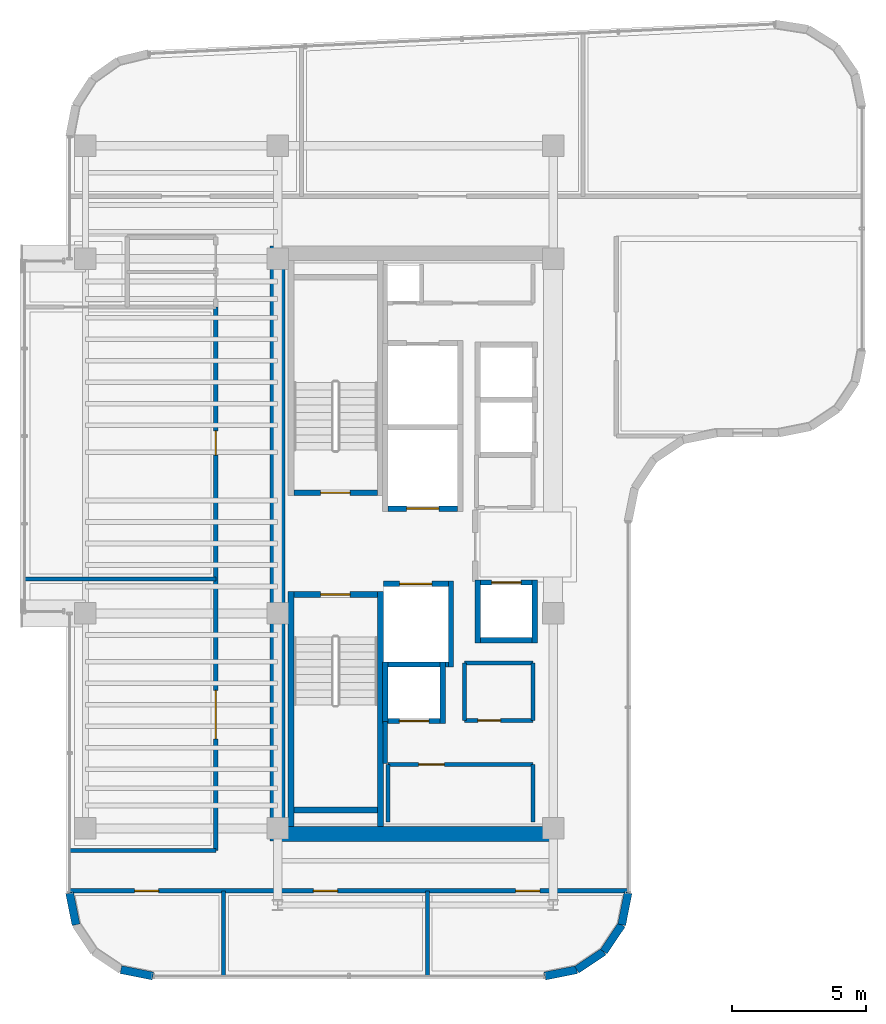
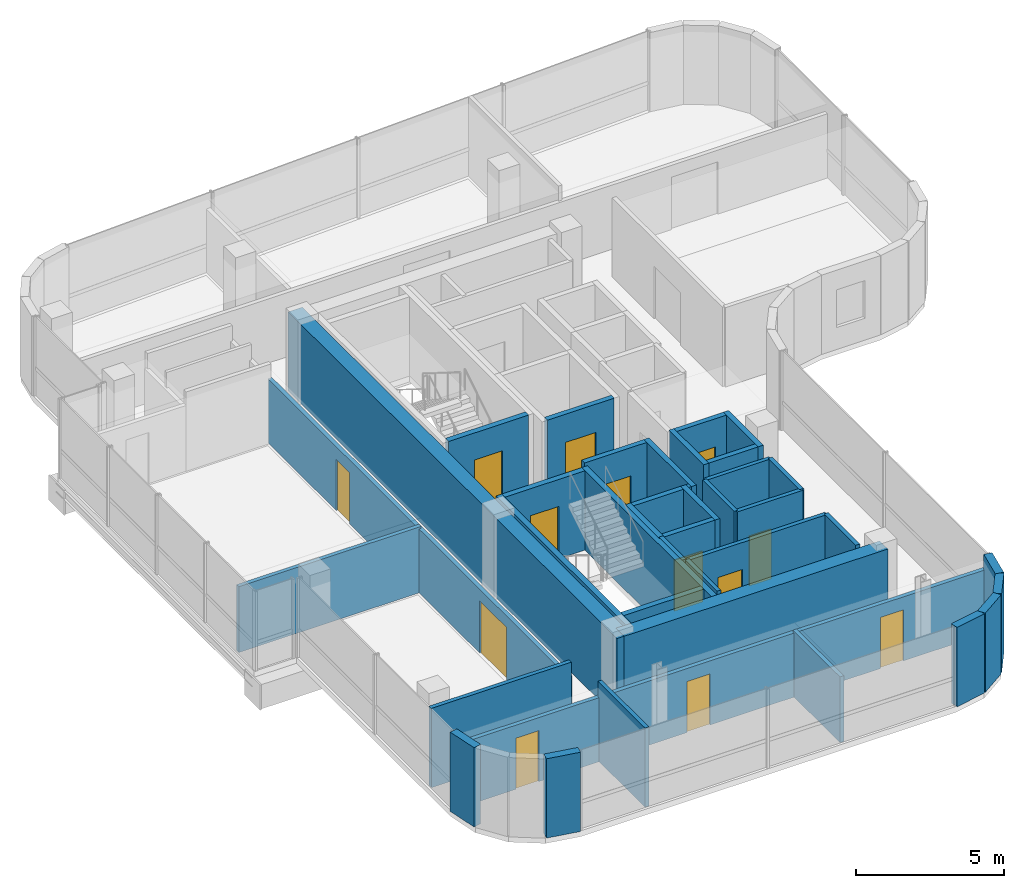
# One storey, part 14 of 18: 38 walls, 13 doors, 13 openings.
"""IFC4 building model written with IfcOpenShell, lengths in metres."""

from ifc_helpers import new_model, si_unit, direction, frame, frame_2d, origin, place, context, subcontext, project, spatial, rectangle, extrude, material, layer, layer_set, type_object, element, fill, save


model = new_model("IFC4")

# Units and contexts
model_context = context("Model", 3, precision=1e-05, world=origin(), true_north=direction((0.0, 1.0)))
body_context = subcontext(model_context, "Body", "Model", "MODEL_VIEW")
ifc_project = project(units=[si_unit("LENGTHUNIT", "METRE"), si_unit("AREAUNIT", "SQUARE_METRE"), si_unit("VOLUMEUNIT", "CUBIC_METRE"), si_unit("PLANEANGLEUNIT", "RADIAN"), si_unit("MASSUNIT", "GRAM", prefix="KILO")], contexts=[model_context])

# Site, building, storey
site_placement = place(None, origin())
site = spatial("IfcSite", under=ifc_project, at=site_placement, CompositionType="ELEMENT")
building_placement = place(site_placement, origin())
building = spatial("IfcBuilding", under=site, at=building_placement, Name="Valdorenza Pilgrim Sanctuary Tower", CompositionType="ELEMENT")
storey_placement = place(building_placement, frame((0.0, 0.0, 276.5)))
storey = spatial("IfcBuildingStorey", under=building, at=storey_placement, Name="L72", CompositionType="ELEMENT", Elevation=276.5)

# Wall
ifc_material_1 = material(Name="Acoustic twin-stud gypsum partition", Category="gypsum")
ifc_layer_1 = layer(ifc_material_1, 0.159912109375, Name="Acoustic twin-stud gypsum partition")
ifc_layer_set_1 = layer_set([ifc_layer_1], Name="Acoustic twin-stud gypsum partition")
wall_type_1 = type_object("IfcWallType", Name="WAL-COR-160", PredefinedType="PARTITIONING", material=ifc_layer_set_1)
wall_1_placement = place(storey_placement, frame((-18.64990234375, -8.179931640625, 0.0), z_axis=(0.0, 0.0, 1.0), x_axis=(0.0, 1.0, 0.0)))
element("IfcWall", 1, at=wall_1_placement, inside=storey, type_object=wall_type_1, Name="L72 Core A South Lift Hall West Wall", PredefinedType="PARTITIONING", context=body_context, shape_type="SweptSolid", body=[
    extrude(rectangle(XDim=1.559814453125, YDim=0.159912109375, at=frame_2d((0.77978515625, 0.0))), origin(), (0.0, 0.0, 1.0), 3.260009765625),
])

# Wall, opening, door
wall_2_placement = place(storey_placement, frame((-18.550048828125, -8.219970703125, 0.0), z_axis=(0.0, 0.0, 1.0), x_axis=(1.0, 0.0, 0.0)))
wall_2 = element("IfcWall", 2, at=wall_2_placement, inside=storey, type_object=wall_type_1, Name="L72 Freed Shaft 1 North Wall", PredefinedType="PARTITIONING", context=body_context, shape_type="SweptSolid", body=[
    extrude(rectangle(XDim=5.400146484375, YDim=0.159912109375, at=frame_2d((2.7001953125, 0.0))), origin(), (0.0, 0.0, 1.0), 3.260009765625),
])
opening_1_placement = place(wall_2_placement, frame((1.14990234375, 0.0, 0.0)))
opening_1 = element("IfcOpeningElement", 3, at=opening_1_placement, cuts=wall_2, Name="Opening DR-UN1", PredefinedType="OPENING", context=body_context, shape_type="SweptSolid", body=[
    extrude(rectangle(XDim=0.949951171875, YDim=2.14990234375, at=frame_2d((0.47509765625, 1.074951171875))), frame((0.0, 0.0947265625, 0.0), z_axis=(0.0, -1.0, 0.0), x_axis=(1.0, 0.0, 0.0)), (0.0, 0.0, 1.0), 0.189697265625),
])
ifc_material_2 = material(Name="Solid-core European oak timber", Category="wood")
door_type_1 = type_object("IfcDoorType", Name="DR-UNIT-950", OperationType="NOTDEFINED", PredefinedType="DOOR", material=ifc_material_2)
door_1_placement = place(opening_1_placement, origin())
door_1 = element("IfcDoor", 4, at=door_1_placement, inside=storey, type_object=door_type_1, Name="L72 Back-of-House Linen Store Door", OperationType="SINGLE_SWING_LEFT", OverallHeight=2.14990234375, OverallWidth=0.949951171875, PredefinedType="DOOR", context=body_context, shape_type="SweptSolid", body=[
    extrude(rectangle(XDim=0.949951171875, YDim=2.14990234375, at=frame_2d((0.47509765625, 1.074951171875))), frame((0.0, 0.02490234375, 0.0), z_axis=(0.0, -1.0, 0.0), x_axis=(1.0, 0.0, 0.0)), (0.0, 0.0, 1.0), 0.050048828125),
])
fill(opening_1, door_1)

# Wall
wall_3_placement = place(storey_placement, frame((-13.14990234375, -10.35009765625, 0.0), z_axis=(0.0, 0.0, 1.0), x_axis=(0.0, 1.0, 0.0)))
element("IfcWall", 5, at=wall_3_placement, inside=storey, type_object=wall_type_1, Name="L72 Freed Shaft 1 East Wall", PredefinedType="PARTITIONING", context=body_context, shape_type="SweptSolid", body=[
    extrude(rectangle(XDim=2.130126953125, YDim=0.159912109375, at=frame_2d((1.06494140625, 0.0))), origin(), (0.0, 0.0, 1.0), 3.260009765625),
])

# Wall, opening, door
wall_4_placement = place(storey_placement, frame((-15.699951171875, -6.580078125, 0.0), z_axis=(0.0, 0.0, 1.0), x_axis=(1.0, 0.0, 0.0)))
wall_4 = element("IfcWall", 6, at=wall_4_placement, inside=storey, type_object=wall_type_1, Name="L72 Freed Shaft 2 South Wall", PredefinedType="PARTITIONING", context=body_context, shape_type="SweptSolid", body=[
    extrude(rectangle(XDim=2.550048828125, YDim=0.159912109375, at=frame_2d((1.27490234375, 0.0))), origin(), (0.0, 0.0, 1.0), 3.260009765625),
])
opening_2_placement = place(wall_4_placement, frame((0.5, 0.0, 0.0)))
opening_2 = element("IfcOpeningElement", 7, at=opening_2_placement, cuts=wall_4, Name="Opening DR-RS1", PredefinedType="OPENING", context=body_context, shape_type="SweptSolid", body=[
    extrude(rectangle(XDim=0.85009765625, YDim=2.050048828125, at=frame_2d((0.425048828125, 1.02490234375))), frame((0.0, 0.0947265625, 0.0), z_axis=(0.0, -1.0, 0.0), x_axis=(1.0, 0.0, 0.0)), (0.0, 0.0, 1.0), 0.189697265625),
])
ifc_material_3 = material(Name="Painted galvanized steel", Category="steel")
door_type_2 = type_object("IfcDoorType", Name="DR-RSR-850", OperationType="NOTDEFINED", PredefinedType="DOOR", material=ifc_material_3)
door_2_placement = place(opening_2_placement, origin())
door_2 = element("IfcDoor", 8, at=door_2_placement, inside=storey, type_object=door_type_2, Name="L72 Guest Tea Pantry Door", OperationType="SINGLE_SWING_RIGHT", OverallHeight=2.050048828125, OverallWidth=0.85009765625, PredefinedType="DOOR", context=body_context, shape_type="SweptSolid", body=[
    extrude(rectangle(XDim=0.85009765625, YDim=2.050048828125, at=frame_2d((0.425048828125, 1.02490234375))), frame((0.0, 0.02490234375, 0.0), z_axis=(0.0, -1.0, 0.0), x_axis=(1.0, 0.0, 0.0)), (0.0, 0.0, 1.0), 0.050048828125),
])
fill(opening_2, door_2)

# Wall
wall_5_placement = place(storey_placement, frame((-13.14990234375, -6.580078125, 0.0), z_axis=(0.0, 0.0, 1.0), x_axis=(0.0, 1.0, 0.0)))
element("IfcWall", 9, at=wall_5_placement, inside=storey, type_object=wall_type_1, Name="L72 Freed Shaft 2 East Wall", PredefinedType="PARTITIONING", context=body_context, shape_type="SweptSolid", body=[
    extrude(rectangle(XDim=2.130126953125, YDim=0.159912109375, at=frame_2d((1.06494140625, 0.0))), origin(), (0.0, 0.0, 1.0), 3.260009765625),
])

# Wall, openings, doors
wall_6_placement = place(storey_placement, frame((-24.949951171875, -11.419921875, 0.0), z_axis=(0.0, 0.0, 1.0), x_axis=(0.0, 1.0, 0.0)))
wall_6 = element("IfcWall", 10, at=wall_6_placement, inside=storey, type_object=wall_type_1, Name="L72 West Wing Corridor Wall", PredefinedType="PARTITIONING", context=body_context, shape_type="SweptSolid", body=[
    extrude(rectangle(XDim=20.219970703125, YDim=0.159912109375, at=frame_2d((10.10986328125, 0.0))), origin(), (0.0, 0.0, 1.0), 2.623046875),
])
opening_3_placement = place(wall_6_placement, frame((4.155029296875, 0.0, 0.0)))
opening_3 = element("IfcOpeningElement", 11, at=opening_3_placement, cuts=wall_6, Name="Opening DR-HL1", PredefinedType="OPENING", context=body_context, shape_type="SweptSolid", body=[
    extrude(rectangle(XDim=1.800048828125, YDim=2.14990234375, at=frame_2d((0.89990234375, 1.074951171875))), frame((0.0, 0.0947265625, 0.0), z_axis=(0.0, -1.0, 0.0), x_axis=(1.0, 0.0, 0.0)), (0.0, 0.0, 1.0), 0.189697265625),
])
opening_4_placement = place(wall_6_placement, frame((14.715087890625, 0.0, 0.0)))
opening_4 = element("IfcOpeningElement", 12, at=opening_4_placement, cuts=wall_6, Name="Opening DR-RM1", PredefinedType="OPENING", context=body_context, shape_type="SweptSolid", body=[
    extrude(rectangle(XDim=0.89990234375, YDim=2.10009765625, at=frame_2d((0.449951171875, 1.050048828125))), frame((0.0, 0.0947265625, 0.0), z_axis=(0.0, -1.0, 0.0), x_axis=(1.0, 0.0, 0.0)), (0.0, 0.0, 1.0), 0.189697265625),
])
ifc_material_4 = material(Name="Acoustic oak and vision-glass double door", Category="glass")
door_type_3 = type_object("IfcDoorType", Name="DR-HALL-1800", OperationType="NOTDEFINED", PredefinedType="DOOR", material=ifc_material_4)
door_3_placement = place(opening_3_placement, frame((1.800048828125, 0.0, 0.0), z_axis=(0.0, 0.0, 1.0), x_axis=(-1.0, 0.0, 0.0)))
door_3 = element("IfcDoor", 13, at=door_3_placement, inside=storey, type_object=door_type_3, Name="L72 Sacred Art Exhibition Gallery L72-W1 Door", OperationType="DOUBLE_DOOR_SINGLE_SWING", OverallHeight=2.14990234375, OverallWidth=1.800048828125, PredefinedType="DOOR", context=body_context, shape_type="SweptSolid", body=[
    extrude(rectangle(XDim=1.800048828125, YDim=2.14990234375, at=frame_2d((0.89990234375, 1.074951171875))), frame((0.0, 0.02490234375, 0.0), z_axis=(0.0, -1.0, 0.0), x_axis=(1.0, 0.0, 0.0)), (0.0, 0.0, 1.0), 0.050048828125),
])
fill(opening_3, door_3)
door_type_4 = type_object("IfcDoorType", Name="DR-ROOM-900", OperationType="NOTDEFINED", PredefinedType="DOOR", material=ifc_material_2)
door_4_placement = place(opening_4_placement, origin())
door_4 = element("IfcDoor", 14, at=door_4_placement, inside=storey, type_object=door_type_4, Name="L72 Sacred Manuscript Archive L72-W2 Door", OperationType="SINGLE_SWING_RIGHT", OverallHeight=2.10009765625, OverallWidth=0.89990234375, PredefinedType="DOOR", context=body_context, shape_type="SweptSolid", body=[
    extrude(rectangle(XDim=0.89990234375, YDim=2.10009765625, at=frame_2d((0.449951171875, 1.050048828125))), frame((0.0, 0.02490234375, 0.0), z_axis=(0.0, -1.0, 0.0), x_axis=(1.0, 0.0, 0.0)), (0.0, 0.0, 1.0), 0.050048828125),
])
fill(opening_4, door_4)

wall_7_placement = place(storey_placement, frame((-30.389892578125, -12.919921875, 0.0), z_axis=(0.0, 0.0, 1.0), x_axis=(1.0, 0.0, 0.0)))
wall_7 = element("IfcWall", 15, at=wall_7_placement, inside=storey, type_object=wall_type_1, Name="L72 South Wing Corridor Wall", PredefinedType="PARTITIONING", context=body_context, shape_type="SweptSolid", body=[
    extrude(rectangle(XDim=20.77978515625, YDim=0.159912109375, at=frame_2d((10.389892578125, 0.0))), origin(), (0.0, 0.0, 1.0), 2.634033203125),
])
opening_5_placement = place(wall_7_placement, frame((2.4150390625, 0.0, 0.0)))
opening_5 = element("IfcOpeningElement", 16, at=opening_5_placement, cuts=wall_7, Name="Opening DR-RM1", PredefinedType="OPENING", context=body_context, shape_type="SweptSolid", body=[
    extrude(rectangle(XDim=0.89990234375, YDim=2.10009765625, at=frame_2d((0.449951171875, 1.050048828125))), frame((0.0, 0.0947265625, 0.0), z_axis=(0.0, -1.0, 0.0), x_axis=(1.0, 0.0, 0.0)), (0.0, 0.0, 1.0), 0.189697265625),
])
opening_6_placement = place(wall_7_placement, frame((9.070068359375, 0.0, 0.0)))
opening_6 = element("IfcOpeningElement", 17, at=opening_6_placement, cuts=wall_7, Name="Opening DR-RM1", PredefinedType="OPENING", context=body_context, shape_type="SweptSolid", body=[
    extrude(rectangle(XDim=0.89990234375, YDim=2.10009765625, at=frame_2d((0.449951171875, 1.050048828125))), frame((0.0, 0.0947265625, 0.0), z_axis=(0.0, -1.0, 0.0), x_axis=(1.0, 0.0, 0.0)), (0.0, 0.0, 1.0), 0.189697265625),
])
opening_7_placement = place(wall_7_placement, frame((16.594970703125, 0.0, 0.0)))
opening_7 = element("IfcOpeningElement", 18, at=opening_7_placement, cuts=wall_7, Name="Opening DR-RM1", PredefinedType="OPENING", context=body_context, shape_type="SweptSolid", body=[
    extrude(rectangle(XDim=0.89990234375, YDim=2.10009765625, at=frame_2d((0.449951171875, 1.050048828125))), frame((0.0, 0.0947265625, 0.0), z_axis=(0.0, -1.0, 0.0), x_axis=(1.0, 0.0, 0.0)), (0.0, 0.0, 1.0), 0.189697265625),
])
door_5_placement = place(opening_5_placement, frame((0.89990234375, 0.0, 0.0), z_axis=(0.0, 0.0, 1.0), x_axis=(-1.0, 0.0, 0.0)))
door_5 = element("IfcDoor", 19, at=door_5_placement, inside=storey, type_object=door_type_4, Name="L72 Pilgrim Scholar Office L72-S1 Door", OperationType="SINGLE_SWING_LEFT", OverallHeight=2.10009765625, OverallWidth=0.89990234375, PredefinedType="DOOR", context=body_context, shape_type="SweptSolid", body=[
    extrude(rectangle(XDim=0.89990234375, YDim=2.10009765625, at=frame_2d((0.449951171875, 1.050048828125))), frame((0.0, 0.02490234375, 0.0), z_axis=(0.0, -1.0, 0.0), x_axis=(1.0, 0.0, 0.0)), (0.0, 0.0, 1.0), 0.050048828125),
])
fill(opening_5, door_5)
door_6_placement = place(opening_6_placement, origin())
door_6 = element("IfcDoor", 20, at=door_6_placement, inside=storey, type_object=door_type_4, Name="L72 Pilgrim Scholar Office L72-S2 Door", OperationType="SINGLE_SWING_RIGHT", OverallHeight=2.10009765625, OverallWidth=0.89990234375, PredefinedType="DOOR", context=body_context, shape_type="SweptSolid", body=[
    extrude(rectangle(XDim=0.89990234375, YDim=2.10009765625, at=frame_2d((0.449951171875, 1.050048828125))), frame((0.0, 0.02490234375, 0.0), z_axis=(0.0, -1.0, 0.0), x_axis=(1.0, 0.0, 0.0)), (0.0, 0.0, 1.0), 0.050048828125),
])
fill(opening_6, door_6)
door_7_placement = place(opening_7_placement, frame((0.89990234375, 0.0, 0.0), z_axis=(0.0, 0.0, 1.0), x_axis=(-1.0, 0.0, 0.0)))
door_7 = element("IfcDoor", 21, at=door_7_placement, inside=storey, type_object=door_type_4, Name="L72 Pilgrim Scholar Office L72-S3 Door", OperationType="SINGLE_SWING_LEFT", OverallHeight=2.10009765625, OverallWidth=0.89990234375, PredefinedType="DOOR", context=body_context, shape_type="SweptSolid", body=[
    extrude(rectangle(XDim=0.89990234375, YDim=2.10009765625, at=frame_2d((0.449951171875, 1.050048828125))), frame((0.0, 0.02490234375, 0.0), z_axis=(0.0, -1.0, 0.0), x_axis=(1.0, 0.0, 0.0)), (0.0, 0.0, 1.0), 0.050048828125),
])
fill(opening_7, door_7)

# Walls
wall_8_placement = place(storey_placement, frame((-30.389892578125, -11.419921875, 0.0), z_axis=(0.0, 0.0, 1.0), x_axis=(1.0, 0.0, 0.0)))
element("IfcWall", 22, at=wall_8_placement, inside=storey, type_object=wall_type_1, Name="L72 South-West Corridor North Wall", PredefinedType="PARTITIONING", context=body_context, shape_type="SweptSolid", body=[
    extrude(rectangle(XDim=5.43994140625, YDim=0.159912109375, at=frame_2d((2.719970703125, 0.0))), origin(), (0.0, 0.0, 1.0), 3.260009765625),
])
ifc_material_5 = material(Name="Concrete C50/60", Category="concrete")
ifc_layer_2 = layer(ifc_material_5, 0.550048828125, Name="Concrete C50/60")
ifc_layer_set_2 = layer_set([ifc_layer_2], Name="Concrete C50/60")
wall_type_2 = type_object("IfcWallType", Name="WAL-COR-550", PredefinedType="SHEAR", material=ifc_layer_set_2)
wall_9_placement = place(storey_placement, frame((-22.64990234375, -11.074951171875, 0.0), z_axis=(0.0, 0.0, 1.0), x_axis=(0.0, 1.0, 0.0)))
element("IfcWall", 23, at=wall_9_placement, inside=storey, type_object=wall_type_2, Name="L72 Split Core A Shear Wall W", PredefinedType="SHEAR", context=body_context, shape_type="SweptSolid", body=[
    extrude(rectangle(XDim=22.14990234375, YDim=0.550048828125, at=frame_2d((11.074951171875, 0.0))), origin(), (0.0, 0.0, 1.0), 3.260009765625),
])
wall_10_placement = place(storey_placement, frame((-22.64990234375, -10.800048828125, 0.0), z_axis=(0.0, 0.0, 1.0), x_axis=(1.0, 0.0, 0.0)))
element("IfcWall", 24, at=wall_10_placement, inside=storey, type_object=wall_type_2, Name="L72 Split Core A Shear Wall S", PredefinedType="SHEAR", context=body_context, shape_type="SweptSolid", body=[
    extrude(rectangle(XDim=10.25, YDim=0.550048828125, at=frame_2d((5.125, 0.0))), origin(), (0.0, 0.0, 1.0), 3.260009765625),
])
ifc_material_6 = material(Name="Honed travertine limestone", Category="masonry")
ifc_layer_3 = layer(ifc_material_6, 0.300048828125, Name="Honed travertine limestone")
ifc_layer_set_3 = layer_set([ifc_layer_3], Name="Honed travertine limestone")
wall_type_3 = type_object("IfcWallType", Name="WAL-EXT-300", PredefinedType="SOLIDWALL", material=ifc_layer_set_3)
wall_11_placement = place(storey_placement, frame((-9.610107421875, -12.9892578125, 0.0), z_axis=(0.0, 0.0, 1.0), x_axis=(-0.194996050505, -0.980804027463, 0.0)))
element("IfcWall", 25, at=wall_11_placement, inside=storey, type_object=wall_type_3, Name="L72 Rounded Wind-Corner Stone Pier 22", PredefinedType="SOLIDWALL", context=body_context, shape_type="SweptSolid", body=[
    extrude(rectangle(XDim=1.2158203125, YDim=0.300048828125, at=frame_2d((0.60791015625, 0.0))), origin(), (0.0, 0.0, 1.0), 3.260009765625),
])
for number, where, z_axis, x_axis, name in (
    (26, (-9.84716796875, -14.181640625, 0.0), (0.0, 0.0, 1.0), (-0.555635100982, -0.831426265255, 0.0), "L72 Rounded Wind-Corner Stone Pier 23"),
    (27, (-10.5166015625, -15.183349609375, 0.0), (0.0, 0.0, 1.0), (-0.831426265255, -0.555635100982, 0.0), "L72 Rounded Wind-Corner Stone Pier 24"),
):
    element("IfcWall", number, at=place(storey_placement, frame(where, z_axis=z_axis, x_axis=x_axis)), inside=storey, type_object=wall_type_3, Name=name, PredefinedType="SOLIDWALL", context=body_context, shape_type="SweptSolid", body=[
        extrude(rectangle(XDim=1.204833984375, YDim=0.300048828125, at=frame_2d((0.6025390625, 0.0))), origin(), (0.0, 0.0, 1.0), 3.260009765625),
    ])
for number, where, z_axis, x_axis, name in (
    (28, (-11.518310546875, -15.852783203125, 0.0), (0.0, 0.0, 1.0), (-0.980765602568, -0.195189223115, 0.0), "L72 Rounded Wind-Corner Stone Pier 25"),
    (29, (-27.289306640625, -16.090087890625, 0.0), (0.0, 0.0, 1.0), (-0.980765602568, 0.195189223115, 0.0), "L72 Rounded Wind-Corner Stone Pier 27"),
    (30, (-30.15283203125, -14.181640625, 0.0), (0.0, 0.0, 1.0), (-0.194996050505, 0.980804027463, 0.0), "L72 Rounded Wind-Corner Stone Pier 30"),
):
    element("IfcWall", number, at=place(storey_placement, frame(where, z_axis=z_axis, x_axis=x_axis)), inside=storey, type_object=wall_type_3, Name=name, PredefinedType="SOLIDWALL", context=body_context, shape_type="SweptSolid", body=[
        extrude(rectangle(XDim=1.2158203125, YDim=0.300048828125, at=frame_2d((0.60791015625, 0.0))), origin(), (0.0, 0.0, 1.0), 3.260009765625),
    ])

# Wall, opening, door
ifc_material_7 = material(Name="Autoclaved aerated concrete blockwork", Category="masonry")
ifc_layer_4 = layer(ifc_material_7, 0.199951171875, Name="Autoclaved aerated concrete blockwork")
ifc_layer_set_4 = layer_set([ifc_layer_4], Name="Autoclaved aerated concrete blockwork")
wall_type_4 = type_object("IfcWallType", Name="WAL-SHF-200", PredefinedType="MOVABLE", material=ifc_layer_set_4)
wall_12_placement = place(storey_placement, frame((-18.550048828125, 1.300048828125, 0.0), z_axis=(0.0, 0.0, 1.0), x_axis=(1.0, 0.0, 0.0)))
wall_12 = element("IfcWall", 31, at=wall_12_placement, inside=storey, type_object=wall_type_4, Name="L72 Lift FFL-01 Hoistway Wall South", PredefinedType="MOVABLE", context=body_context, shape_type="SweptSolid", body=[
    extrude(rectangle(XDim=2.60009765625, YDim=0.199951171875, at=frame_2d((1.300048828125, 0.0))), origin(), (0.0, 0.0, 1.0), 3.260009765625),
])
opening_8_placement = place(wall_12_placement, frame((0.699951171875, 0.0, 0.0)))
opening_8 = element("IfcOpeningElement", 32, at=opening_8_placement, cuts=wall_12, Name="Opening LD-02", PredefinedType="OPENING", context=body_context, shape_type="SweptSolid", body=[
    extrude(rectangle(XDim=1.199951171875, YDim=2.10009765625, at=frame_2d((0.60009765625, 1.050048828125))), frame((0.0, 0.11474609375, 0.0), z_axis=(0.0, -1.0, 0.0), x_axis=(1.0, 0.0, 0.0)), (0.0, 0.0, 1.0), 0.229736328125),
])
ifc_material_8 = material(Name="Brushed stainless steel Grade 316", Category="steel")
door_type_5 = type_object("IfcDoorType", Name="DR-LFT-1200", OperationType="DOUBLE_DOOR_SLIDING", PredefinedType="DOOR", material=ifc_material_8)
door_8_placement = place(opening_8_placement, origin())
door_8 = element("IfcDoor", 33, at=door_8_placement, inside=storey, type_object=door_type_5, Name="L72 Lift FFL-01 Sliding Landing Door", OperationType="DOUBLE_DOOR_SLIDING", OverallHeight=2.10009765625, OverallWidth=1.199951171875, PredefinedType="DOOR", context=body_context, shape_type="SweptSolid", body=[
    extrude(rectangle(XDim=1.199951171875, YDim=2.10009765625, at=frame_2d((0.60009765625, 1.050048828125))), frame((0.0, 0.02490234375, 0.0), z_axis=(0.0, -1.0, 0.0), x_axis=(1.0, 0.0, 0.0)), (0.0, 0.0, 1.0), 0.050048828125),
])
fill(opening_8, door_8)

# Walls
wall_13_placement = place(storey_placement, frame((-16.199951171875, -4.60009765625, 0.0), z_axis=(0.0, 0.0, 1.0), x_axis=(0.0, 1.0, 0.0)))
element("IfcWall", 34, at=wall_13_placement, inside=storey, type_object=wall_type_4, Name="L72 Lift FFL-02 Hoistway Wall East", PredefinedType="MOVABLE", context=body_context, shape_type="SweptSolid", body=[
    extrude(rectangle(XDim=3.2001953125, YDim=0.199951171875, at=frame_2d((1.60009765625, 0.0))), origin(), (0.0, 0.0, 1.0), 3.260009765625),
])
wall_14_placement = place(storey_placement, frame((-18.719970703125, -4.5, 0.0), z_axis=(0.0, 0.0, 1.0), x_axis=(1.0, 0.0, 0.0)))
element("IfcWall", 35, at=wall_14_placement, inside=storey, type_object=wall_type_4, Name="L72 Lift FFL-02 Hoistway Wall South", PredefinedType="MOVABLE", context=body_context, shape_type="SweptSolid", body=[
    extrude(rectangle(XDim=2.419921875, YDim=0.199951171875, at=frame_2d((1.2099609375, 0.0))), origin(), (0.0, 0.0, 1.0), 3.260009765625),
])

# Wall, opening, door
wall_15_placement = place(storey_placement, frame((-18.719970703125, -1.5, 0.0), z_axis=(0.0, 0.0, 1.0), x_axis=(1.0, 0.0, 0.0)))
wall_15 = element("IfcWall", 36, at=wall_15_placement, inside=storey, type_object=wall_type_4, Name="L72 Lift FFL-02 Hoistway Wall North", PredefinedType="MOVABLE", context=body_context, shape_type="SweptSolid", body=[
    extrude(rectangle(XDim=2.419921875, YDim=0.199951171875, at=frame_2d((1.2099609375, 0.0))), origin(), (0.0, 0.0, 1.0), 3.260009765625),
])
opening_9_placement = place(wall_15_placement, frame((0.610107421875, 0.0, 0.0)))
opening_9 = element("IfcOpeningElement", 37, at=opening_9_placement, cuts=wall_15, Name="Opening LD-02", PredefinedType="OPENING", context=body_context, shape_type="SweptSolid", body=[
    extrude(rectangle(XDim=1.199951171875, YDim=2.10009765625, at=frame_2d((0.60009765625, 1.050048828125))), frame((0.0, 0.11474609375, 0.0), z_axis=(0.0, -1.0, 0.0), x_axis=(1.0, 0.0, 0.0)), (0.0, 0.0, 1.0), 0.229736328125),
])
door_9_placement = place(opening_9_placement, origin())
door_9 = element("IfcDoor", 38, at=door_9_placement, inside=storey, type_object=door_type_5, Name="L72 Lift FFL-02 Sliding Landing Door", OperationType="DOUBLE_DOOR_SLIDING", OverallHeight=2.10009765625, OverallWidth=1.199951171875, PredefinedType="DOOR", context=body_context, shape_type="SweptSolid", body=[
    extrude(rectangle(XDim=1.199951171875, YDim=2.10009765625, at=frame_2d((0.60009765625, 1.050048828125))), frame((0.0, 0.02490234375, 0.0), z_axis=(0.0, -1.0, 0.0), x_axis=(1.0, 0.0, 0.0)), (0.0, 0.0, 1.0), 0.050048828125),
])
fill(opening_9, door_9)

# Walls
for number, where, z_axis, x_axis, name in (
    (39, (-18.64990234375, -6.699951171875, 0.0), (0.0, 0.0, 1.0), (0.0, 1.0, 0.0), "L72 Lift PL-11 Hoistway Wall West"),
    (40, (-16.5, -6.699951171875, 0.0), (0.0, 0.0, 1.0), (0.0, 1.0, 0.0), "L72 Lift PL-11 Hoistway Wall East"),
):
    element("IfcWall", number, at=place(storey_placement, frame(where, z_axis=z_axis, x_axis=x_axis)), inside=storey, type_object=wall_type_4, Name=name, PredefinedType="MOVABLE", context=body_context, shape_type="SweptSolid", body=[
        extrude(rectangle(XDim=2.300048828125, YDim=0.199951171875, at=frame_2d((1.14990234375, 0.0))), origin(), (0.0, 0.0, 1.0), 3.260009765625),
    ])

# Wall, opening, door
wall_16_placement = place(storey_placement, frame((-18.550048828125, -6.60009765625, 0.0), z_axis=(0.0, 0.0, 1.0), x_axis=(1.0, 0.0, 0.0)))
wall_16 = element("IfcWall", 41, at=wall_16_placement, inside=storey, type_object=wall_type_4, Name="L72 Lift PL-11 Hoistway Wall South", PredefinedType="MOVABLE", context=body_context, shape_type="SweptSolid", body=[
    extrude(rectangle(XDim=1.949951171875, YDim=0.199951171875, at=frame_2d((0.97509765625, 0.0))), origin(), (0.0, 0.0, 1.0), 3.260009765625),
])
opening_10_placement = place(wall_16_placement, frame((0.425048828125, 0.0, 0.0)))
opening_10 = element("IfcOpeningElement", 42, at=opening_10_placement, cuts=wall_16, Name="Opening LD-01", PredefinedType="OPENING", context=body_context, shape_type="SweptSolid", body=[
    extrude(rectangle(XDim=1.10009765625, YDim=2.10009765625, at=frame_2d((0.550048828125, 1.050048828125))), frame((0.0, 0.11474609375, 0.0), z_axis=(0.0, -1.0, 0.0), x_axis=(1.0, 0.0, 0.0)), (0.0, 0.0, 1.0), 0.229736328125),
])
door_type_6 = type_object("IfcDoorType", Name="DR-LFT-1100", OperationType="DOUBLE_DOOR_SLIDING", PredefinedType="DOOR", material=ifc_material_8)
door_10_placement = place(opening_10_placement, origin())
door_10 = element("IfcDoor", 43, at=door_10_placement, inside=storey, type_object=door_type_6, Name="L72 Lift PL-11 Sliding Landing Door", OperationType="DOUBLE_DOOR_SLIDING", OverallHeight=2.10009765625, OverallWidth=1.10009765625, PredefinedType="DOOR", context=body_context, shape_type="SweptSolid", body=[
    extrude(rectangle(XDim=1.10009765625, YDim=2.10009765625, at=frame_2d((0.550048828125, 1.050048828125))), frame((0.0, 0.02490234375, 0.0), z_axis=(0.0, -1.0, 0.0), x_axis=(1.0, 0.0, 0.0)), (0.0, 0.0, 1.0), 0.050048828125),
])
fill(opening_10, door_10)

# Walls
for number, where, z_axis, x_axis, name in (
    (44, (-15.199951171875, -3.699951171875, 0.0), (0.0, 0.0, 1.0), (0.0, 1.0, 0.0), "L72 Lift PL-12 Hoistway Wall West"),
    (45, (-13.080078125, -3.699951171875, 0.0), (0.0, 0.0, 1.0), (0.0, 1.0, 0.0), "L72 Lift PL-12 Hoistway Wall East"),
):
    element("IfcWall", number, at=place(storey_placement, frame(where, z_axis=z_axis, x_axis=x_axis)), inside=storey, type_object=wall_type_4, Name=name, PredefinedType="MOVABLE", context=body_context, shape_type="SweptSolid", body=[
        extrude(rectangle(XDim=2.349853515625, YDim=0.199951171875, at=frame_2d((1.1748046875, 0.0))), origin(), (0.0, 0.0, 1.0), 3.260009765625),
    ])
wall_17_placement = place(storey_placement, frame((-15.10009765625, -3.60009765625, 0.0), z_axis=(0.0, 0.0, 1.0), x_axis=(1.0, 0.0, 0.0)))
element("IfcWall", 46, at=wall_17_placement, inside=storey, type_object=wall_type_4, Name="L72 Lift PL-12 Hoistway Wall South", PredefinedType="MOVABLE", context=body_context, shape_type="SweptSolid", body=[
    extrude(rectangle(XDim=1.920166015625, YDim=0.199951171875, at=frame_2d((0.9599609375, 0.0))), origin(), (0.0, 0.0, 1.0), 3.260009765625),
])

# Wall, opening, door
wall_18_placement = place(storey_placement, frame((-15.10009765625, -1.449951171875, 0.0), z_axis=(0.0, 0.0, 1.0), x_axis=(1.0, 0.0, 0.0)))
wall_18 = element("IfcWall", 47, at=wall_18_placement, inside=storey, type_object=wall_type_4, Name="L72 Lift PL-12 Hoistway Wall North", PredefinedType="MOVABLE", context=body_context, shape_type="SweptSolid", body=[
    extrude(rectangle(XDim=1.920166015625, YDim=0.199951171875, at=frame_2d((0.9599609375, 0.0))), origin(), (0.0, 0.0, 1.0), 3.260009765625),
])
opening_11_placement = place(wall_18_placement, frame((0.409912109375, 0.0, 0.0)))
opening_11 = element("IfcOpeningElement", 48, at=opening_11_placement, cuts=wall_18, Name="Opening LD-01", PredefinedType="OPENING", context=body_context, shape_type="SweptSolid", body=[
    extrude(rectangle(XDim=1.10009765625, YDim=2.10009765625, at=frame_2d((0.550048828125, 1.050048828125))), frame((0.0, 0.11474609375, 0.0), z_axis=(0.0, -1.0, 0.0), x_axis=(1.0, 0.0, 0.0)), (0.0, 0.0, 1.0), 0.229736328125),
])
door_11_placement = place(opening_11_placement, origin())
door_11 = element("IfcDoor", 49, at=door_11_placement, inside=storey, type_object=door_type_6, Name="L72 Lift PL-12 Sliding Landing Door", OperationType="DOUBLE_DOOR_SLIDING", OverallHeight=2.10009765625, OverallWidth=1.10009765625, PredefinedType="DOOR", context=body_context, shape_type="SweptSolid", body=[
    extrude(rectangle(XDim=1.10009765625, YDim=2.10009765625, at=frame_2d((0.550048828125, 1.050048828125))), frame((0.0, 0.02490234375, 0.0), z_axis=(0.0, -1.0, 0.0), x_axis=(1.0, 0.0, 0.0)), (0.0, 0.0, 1.0), 0.050048828125),
])
fill(opening_11, door_11)

ifc_material_9 = material(Name="Concrete C40/50", Category="concrete")
ifc_layer_5 = layer(ifc_material_9, 0.219970703125, Name="Concrete C40/50")
ifc_layer_set_5 = layer_set([ifc_layer_5], Name="Concrete C40/50")
wall_type_5 = type_object("IfcWallType", Name="WAL-STR-SHF-220", PredefinedType="SHEAR", material=ifc_layer_set_5)
wall_19_placement = place(storey_placement, frame((-22.050048828125, 1.889892578125, 0.0), z_axis=(0.0, 0.0, 1.0), x_axis=(1.0, 0.0, 0.0)))
wall_19 = element("IfcWall", 50, at=wall_19_placement, inside=storey, type_object=wall_type_5, Name="L72 ST-A1 Structural Stairwell Wall S", PredefinedType="SHEAR", context=body_context, shape_type="SweptSolid", body=[
    extrude(rectangle(XDim=3.110107421875, YDim=0.219970703125, at=frame_2d((1.55517578125, 0.0))), origin(), (0.0, 0.0, 1.0), 3.260009765625),
])
opening_12_placement = place(wall_19_placement, frame((1.0, 0.0, 0.0)))
opening_12 = element("IfcOpeningElement", 51, at=opening_12_placement, cuts=wall_19, Name="Opening DR-ST1", PredefinedType="OPENING", context=body_context, shape_type="SweptSolid", body=[
    extrude(rectangle(XDim=1.10009765625, YDim=2.14990234375, at=frame_2d((0.550048828125, 1.074951171875))), frame((0.0, 0.125, 0.0), z_axis=(0.0, -1.0, 0.0), x_axis=(1.0, 0.0, 0.0)), (0.0, 0.0, 1.0), 0.249755859375),
])
door_type_7 = type_object("IfcDoorType", Name="DR-STAIR-1100", OperationType="NOTDEFINED", PredefinedType="DOOR", material=ifc_material_3)
door_12_placement = place(opening_12_placement, frame((1.10009765625, 0.0, 0.0), z_axis=(0.0, 0.0, 1.0), x_axis=(-1.0, 0.0, 0.0)))
door_12 = element("IfcDoor", 52, at=door_12_placement, inside=storey, type_object=door_type_7, Name="L72 Exit Stair ST-A1 Door", OperationType="SINGLE_SWING_LEFT", OverallHeight=2.14990234375, OverallWidth=1.10009765625, PredefinedType="DOOR", context=body_context, shape_type="SweptSolid", body=[
    extrude(rectangle(XDim=1.10009765625, YDim=2.14990234375, at=frame_2d((0.550048828125, 1.074951171875))), frame((0.0, 0.02490234375, 0.0), z_axis=(0.0, -1.0, 0.0), x_axis=(1.0, 0.0, 0.0)), (0.0, 0.0, 1.0), 0.050048828125),
])
fill(opening_12, door_12)

# Walls
for number, where, z_axis, x_axis, name in (
    (53, (-22.159912109375, -10.52490234375, 0.0), (0.0, 0.0, 1.0), (0.0, 1.0, 0.0), "L72 ST-A2 Structural Stairwell Wall W"),
    (54, (-18.830078125, -10.52490234375, 0.0), (0.0, 0.0, 1.0), (0.0, 1.0, 0.0), "L72 ST-A2 Structural Stairwell Wall E"),
):
    element("IfcWall", number, at=place(storey_placement, frame(where, z_axis=z_axis, x_axis=x_axis)), inside=storey, type_object=wall_type_5, Name=name, PredefinedType="SHEAR", context=body_context, shape_type="SweptSolid", body=[
        extrude(rectangle(XDim=8.744873046875, YDim=0.219970703125, at=frame_2d((4.37255859375, 0.0))), origin(), (0.0, 0.0, 1.0), 3.260009765625),
    ])
wall_20_placement = place(storey_placement, frame((-22.050048828125, -9.909912109375, 0.0), z_axis=(0.0, 0.0, 1.0), x_axis=(1.0, 0.0, 0.0)))
element("IfcWall", 55, at=wall_20_placement, inside=storey, type_object=wall_type_5, Name="L72 ST-A2 Structural Stairwell Wall S", PredefinedType="SHEAR", context=body_context, shape_type="SweptSolid", body=[
    extrude(rectangle(XDim=3.110107421875, YDim=0.219970703125, at=frame_2d((1.55517578125, 0.0))), origin(), (0.0, 0.0, 1.0), 3.260009765625),
])

# Wall, opening, door
wall_21_placement = place(storey_placement, frame((-22.050048828125, -1.889892578125, 0.0), z_axis=(0.0, 0.0, 1.0), x_axis=(1.0, 0.0, 0.0)))
wall_21 = element("IfcWall", 56, at=wall_21_placement, inside=storey, type_object=wall_type_5, Name="L72 ST-A2 Structural Stairwell Wall N", PredefinedType="SHEAR", context=body_context, shape_type="SweptSolid", body=[
    extrude(rectangle(XDim=3.110107421875, YDim=0.219970703125, at=frame_2d((1.55517578125, 0.0))), origin(), (0.0, 0.0, 1.0), 3.260009765625),
])
opening_13_placement = place(wall_21_placement, frame((1.0, 0.0, 0.0)))
opening_13 = element("IfcOpeningElement", 57, at=opening_13_placement, cuts=wall_21, Name="Opening DR-ST1", PredefinedType="OPENING", context=body_context, shape_type="SweptSolid", body=[
    extrude(rectangle(XDim=1.10009765625, YDim=2.14990234375, at=frame_2d((0.550048828125, 1.074951171875))), frame((0.0, 0.125, 0.0), z_axis=(0.0, -1.0, 0.0), x_axis=(1.0, 0.0, 0.0)), (0.0, 0.0, 1.0), 0.249755859375),
])
door_13_placement = place(opening_13_placement, origin())
door_13 = element("IfcDoor", 58, at=door_13_placement, inside=storey, type_object=door_type_7, Name="L72 Exit Stair ST-A2 Door", OperationType="SINGLE_SWING_RIGHT", OverallHeight=2.14990234375, OverallWidth=1.10009765625, PredefinedType="DOOR", context=body_context, shape_type="SweptSolid", body=[
    extrude(rectangle(XDim=1.10009765625, YDim=2.14990234375, at=frame_2d((0.550048828125, 1.074951171875))), frame((0.0, 0.02490234375, 0.0), z_axis=(0.0, -1.0, 0.0), x_axis=(1.0, 0.0, 0.0)), (0.0, 0.0, 1.0), 0.050048828125),
])
fill(opening_13, door_13)

# Walls
ifc_layer_6 = layer(ifc_material_1, 0.14990234375, Name="Acoustic twin-stud gypsum partition")
ifc_layer_set_6 = layer_set([ifc_layer_6], Name="Acoustic twin-stud gypsum partition")
wall_type_6 = type_object("IfcWallType", Name="WAL-UNT-150", PredefinedType="PARTITIONING", material=ifc_layer_set_6)
for number, where, z_axis, x_axis, name in (
    (59, (-18.550048828125, -10.35009765625, 0.0), (0.0, 0.0, 1.0), (0.0, 1.0, 0.0), "L72 Freed Shaft 1 West Wall"),
    (60, (-15.699951171875, -6.580078125, 0.0), (0.0, 0.0, 1.0), (0.0, 1.0, 0.0), "L72 Freed Shaft 2 West Wall"),
):
    element("IfcWall", number, at=place(storey_placement, frame(where, z_axis=z_axis, x_axis=x_axis)), inside=storey, type_object=wall_type_6, Name=name, PredefinedType="PARTITIONING", context=body_context, shape_type="SweptSolid", body=[
        extrude(rectangle(XDim=2.130126953125, YDim=0.14990234375, at=frame_2d((1.06494140625, 0.0))), origin(), (0.0, 0.0, 1.0), 3.260009765625),
    ])
wall_22_placement = place(storey_placement, frame((-15.699951171875, -4.449951171875, 0.0), z_axis=(0.0, 0.0, 1.0), x_axis=(1.0, 0.0, 0.0)))
element("IfcWall", 61, at=wall_22_placement, inside=storey, type_object=wall_type_6, Name="L72 Freed Shaft 2 North Wall", PredefinedType="PARTITIONING", context=body_context, shape_type="SweptSolid", body=[
    extrude(rectangle(XDim=2.550048828125, YDim=0.14990234375, at=frame_2d((1.27490234375, 0.0))), origin(), (0.0, 0.0, 1.0), 3.260009765625),
])
wall_23_placement = place(storey_placement, frame((-32.0400390625, -1.31005859375, 0.0), z_axis=(0.0, 0.0, 1.0), x_axis=(1.0, 0.0, 0.0)))
element("IfcWall", 62, at=wall_23_placement, inside=storey, type_object=wall_type_6, Name="L72 Sacred Manuscript Archive L72-W2 Demising Wall", PredefinedType="PARTITIONING", context=body_context, shape_type="SweptSolid", body=[
    extrude(rectangle(XDim=7.090087890625, YDim=0.14990234375, at=frame_2d((3.544921875, 0.0))), origin(), (0.0, 0.0, 1.0), 2.7060546875),
])
wall_24_placement = place(storey_placement, frame((-24.659912109375, -16.090087890625, 0.0), z_axis=(0.0, 0.0, 1.0), x_axis=(0.0, 1.0, 0.0)))
element("IfcWall", 63, at=wall_24_placement, inside=storey, type_object=wall_type_6, Name="L72 Pilgrim Scholar Office L72-S2 Demising Wall", PredefinedType="PARTITIONING", context=body_context, shape_type="SweptSolid", body=[
    extrude(rectangle(XDim=3.170166015625, YDim=0.14990234375, at=frame_2d((1.5849609375, 0.0))), origin(), (0.0, 0.0, 1.0), 3.260009765625),
])
wall_25_placement = place(storey_placement, frame((-17.080078125, -16.090087890625, 0.0), z_axis=(0.0, 0.0, 1.0), x_axis=(0.0, 1.0, 0.0)))
element("IfcWall", 64, at=wall_25_placement, inside=storey, type_object=wall_type_6, Name="L72 Pilgrim Scholar Office L72-S3 Demising Wall", PredefinedType="PARTITIONING", context=body_context, shape_type="SweptSolid", body=[
    extrude(rectangle(XDim=3.170166015625, YDim=0.14990234375, at=frame_2d((1.5849609375, 0.0))), origin(), (0.0, 0.0, 1.0), 2.7060546875),
])

save(model, "model.ifc")
